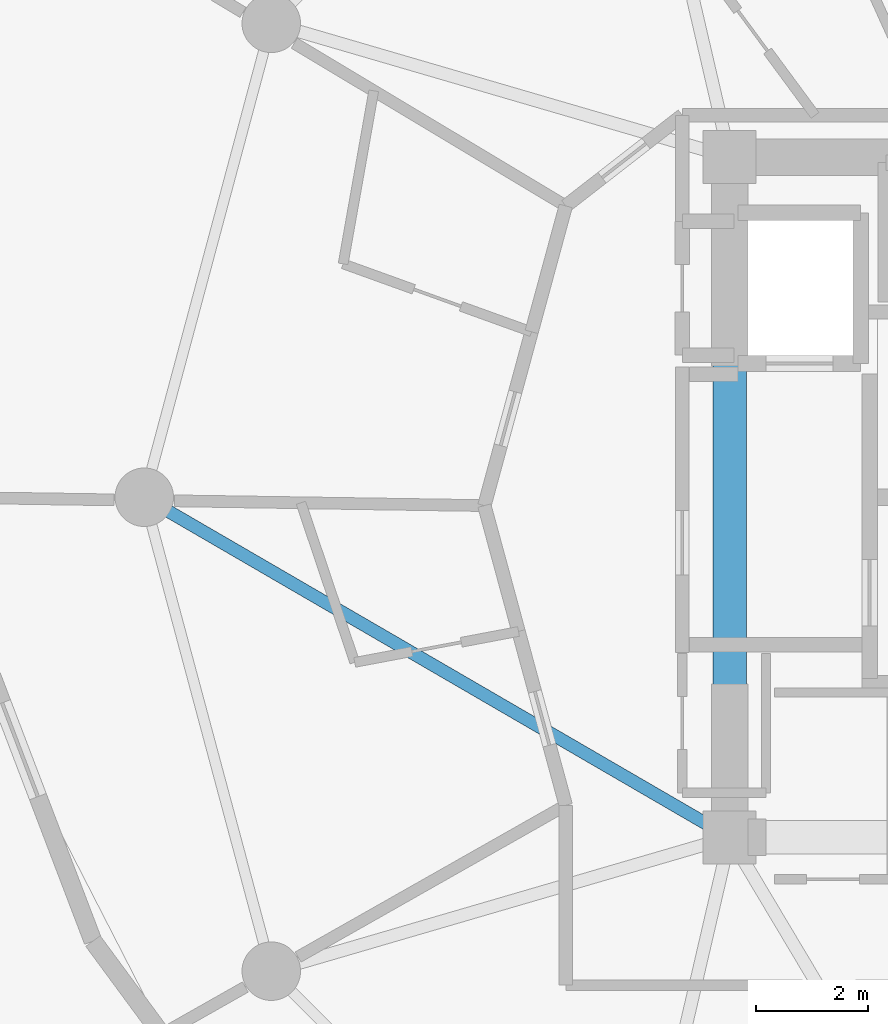
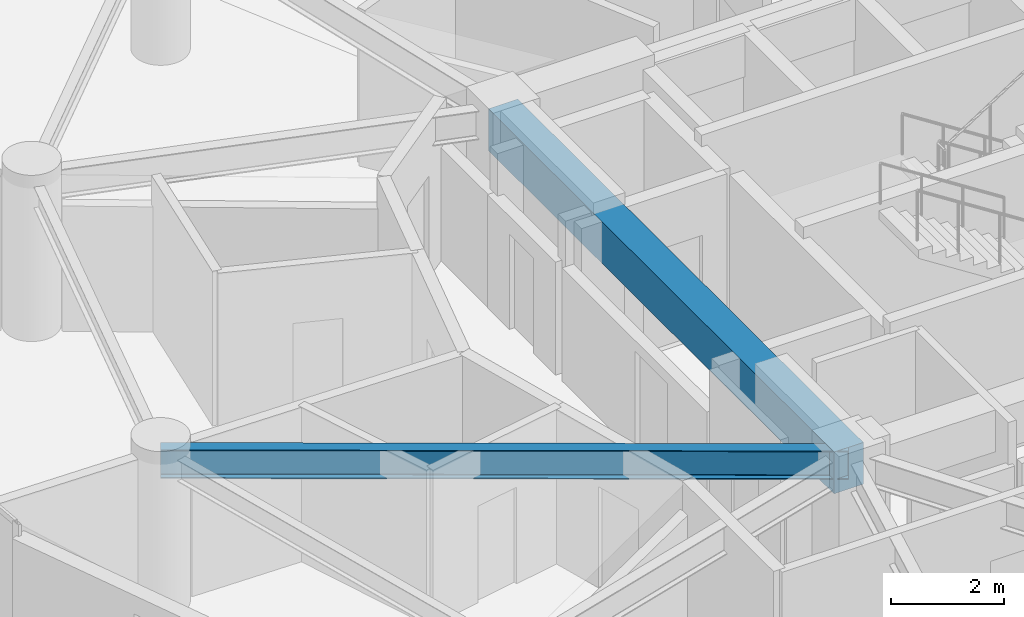
# One storey, part 6 of 22: 2 beams.
"""IFC4 building model written with IfcOpenShell, lengths in metres."""

import ifcopenshell
import ifcopenshell.guid

model = None  # the IFC model being written
_history = None  # IfcOwnerHistory: only IFC2X3 demands one
_inside = {}  # id of a spatial element -> (the spatial element, [elements in it])
_under = {}  # id of a project, library or spatial element -> (it, [spatial elements below it])
_declared = {}  # id of a project -> (the project, [libraries it declares])
_typed = {}  # id of a type object -> (the type object, [elements of that type])
_made_of = {}  # id of a material, layer set ... -> (it, [elements and type objects made of it])


def new_model(schema):
    """Start an empty IFC model of exactly this schema.

    Asked for "IFC4X3", IfcOpenShell would pick the latest addendum, in which some entities
    have other attributes; the version numbers below select the first issue.
    IFC2X3 requires an IfcOwnerHistory on every rooted entity: one is made here for all.
    """
    global model, _history
    if schema == "IFC4X3":
        model = ifcopenshell.file(schema_version=(4, 3, 0, 0))
    else:
        model = ifcopenshell.file(schema=schema)
    _inside.clear()
    _under.clear()
    _declared.clear()
    _typed.clear()
    _made_of.clear()
    _history = None
    if model.schema == "IFC2X3":
        org = make("IfcOrganization", Name="unknown")
        user = make(
            "IfcPersonAndOrganization",
            ThePerson=make("IfcPerson", FamilyName="unknown"),
            TheOrganization=org,
        )
        app = make(
            "IfcApplication",
            ApplicationDeveloper=org,
            Version="unknown",
            ApplicationFullName="unknown",
            ApplicationIdentifier="unknown",
        )
        _history = make(
            "IfcOwnerHistory",
            OwningUser=user,
            OwningApplication=app,
            ChangeAction="ADDED",
            CreationDate=0,
        )
    return model


def make(cls, **values):
    """One entity of the class cls with the attributes given. An attribute that is None is left unset."""
    return model.create_entity(
        cls, **{name: value for name, value in values.items() if value is not None}
    )


def rooted(cls, **values):
    """An entity with a GlobalId (a new one), such as an element, a storey or a relation."""
    return make(cls, GlobalId=ifcopenshell.guid.new(), OwnerHistory=_history, **values)


def si_unit(unit_type, name, prefix=None):
    """IfcSIUnit, for example si_unit("LENGTHUNIT", "METRE", prefix="MILLI")."""
    return make("IfcSIUnit", UnitType=unit_type, Prefix=prefix, Name=name)


def assignment(units):
    """IfcUnitAssignment: the units of a project."""
    return None if units is None else make("IfcUnitAssignment", Units=units)


def point(xyz):
    """IfcCartesianPoint."""
    return None if xyz is None else make("IfcCartesianPoint", Coordinates=xyz)


def direction(xyz):
    """IfcDirection."""
    return None if xyz is None else make("IfcDirection", DirectionRatios=xyz)


def frame(location, z_axis=None, x_axis=None):
    """IfcAxis2Placement3D, a coordinate frame: its origin and axes. An axis left out is left unset."""
    return make(
        "IfcAxis2Placement3D",
        Location=point(location),
        Axis=direction(z_axis),
        RefDirection=direction(x_axis),
    )


def frame_2d(location, x_axis=None):
    """IfcAxis2Placement2D, a coordinate frame in the plane: its origin and x axis."""
    return make(
        "IfcAxis2Placement2D", Location=point(location), RefDirection=direction(x_axis)
    )


def origin():
    """The frame at (0, 0, 0) with its axes left unset."""
    return frame((0.0, 0.0, 0.0))


def origin_2d():
    """The frame at (0, 0) in the plane with its x axis left unset."""
    return frame_2d((0.0, 0.0))


def place(relative_to, where):
    """IfcLocalPlacement: puts the frame where relative to a parent placement (None: the world)."""
    return make(
        "IfcLocalPlacement", PlacementRelTo=relative_to, RelativePlacement=where
    )


def context(
    kind, dimensions, precision=None, world=None, true_north=None, identifier=None
):
    """IfcGeometricRepresentationContext, for example the 3D "Model" context."""
    return make(
        "IfcGeometricRepresentationContext",
        ContextIdentifier=identifier,
        ContextType=kind,
        CoordinateSpaceDimension=dimensions,
        Precision=precision,
        WorldCoordinateSystem=world,
        TrueNorth=true_north,
    )


def subcontext(parent, identifier, kind, view, scale=None):
    """IfcGeometricRepresentationSubContext, for example "Body" below "Model"."""
    return make(
        "IfcGeometricRepresentationSubContext",
        ContextIdentifier=identifier,
        ContextType=kind,
        ParentContext=parent,
        TargetScale=scale,
        TargetView=view,
    )


def project(units=None, contexts=None):
    """IfcProject with its units and contexts."""
    return rooted(
        "IfcProject",
        Name="project",
        RepresentationContexts=contexts,
        UnitsInContext=assignment(units),
    )


def spatial(cls, under=None, at=None, **own):
    """A site, building, storey or space (cls), placed at a placement, below another one or the project."""
    s = rooted(cls, ObjectPlacement=at, **own)
    if under is not None:
        _under.setdefault(under.id(), (under, []))[1].append(s)
    return s


def profile(cls, at=None, kind="AREA", **sizes):
    """A parametric profile (cls). Its sizes go by their IFC names, for example OverallWidth=200.0."""
    return make(cls, ProfileType=kind, Position=at, **sizes)


def rectangle(**sizes):
    """IfcRectangleProfileDef."""
    return profile("IfcRectangleProfileDef", **sizes)


def i_section(**sizes):
    """IfcIShapeProfileDef."""
    return profile("IfcIShapeProfileDef", **sizes)


def extrude(swept, where, along, depth):
    """IfcExtrudedAreaSolid: the profile swept, set in the frame where, extruded along a direction by depth."""
    return make(
        "IfcExtrudedAreaSolid",
        SweptArea=swept,
        Position=where,
        ExtrudedDirection=direction(along),
        Depth=depth,
    )


def shape(context_of_items, identifier, shape_type, items):
    """IfcShapeRepresentation: the items that make up one representation, for example the "Body"."""
    return make(
        "IfcShapeRepresentation",
        ContextOfItems=context_of_items,
        RepresentationIdentifier=identifier,
        RepresentationType=shape_type,
        Items=items,
    )


def material(Name=None, Category=None):
    """IfcMaterial."""
    return make("IfcMaterial", Name=Name, Category=Category)


def material_profile(
    of_material, cross_section, Name=None, Category=None, Priority=None
):
    """IfcMaterialProfile: a cross section and its material."""
    return make(
        "IfcMaterialProfile",
        Name=Name,
        Material=of_material,
        Profile=cross_section,
        Priority=Priority,
        Category=Category,
    )


def profile_set(profiles, Name=None, composite=None):
    """IfcMaterialProfileSet."""
    return make(
        "IfcMaterialProfileSet",
        Name=Name,
        MaterialProfiles=profiles,
        CompositeProfile=composite,
    )


def made_of(thing, what):
    """Note that an element or type object is made of a material, layer set ...; save() writes the relation."""
    if what is not None:
        _made_of.setdefault(what.id(), (what, []))[1].append(thing)
    return thing


def type_object(cls, material=None, **own):
    """A type object (cls), such as IfcWallType, which elements share."""
    return made_of(rooted(cls, **own), material)


def element(
    cls,
    number,
    at=None,
    inside=None,
    cuts=None,
    type_object=None,
    material=None,
    context=None,
    identifier="Body",
    shape_type=None,
    held_by="IfcProductDefinitionShape",
    body=None,
    shapes=None,
    **own,
):
    """One element of the class cls, such as IfcWall. Its Tag is "e" and its number.

    at: its placement. inside: the storey or other place that contains it. cuts: it is an
    opening in that element (IfcRelVoidsElement). A single representation is given by context,
    identifier, shape_type and body (its items); several are given by shapes. held_by: the class
    of the entity that holds the representations. save() writes the other relations.
    """
    e = rooted(cls, Tag="e%d" % number, ObjectPlacement=at, **own)
    if body is not None:
        shapes = [shape(context, identifier, shape_type, body)]
    if shapes is not None:
        e.Representation = make(held_by, Representations=shapes)
    if inside is not None:
        _inside.setdefault(inside.id(), (inside, []))[1].append(e)
    if cuts is not None:
        rooted(
            "IfcRelVoidsElement", RelatingBuildingElement=cuts, RelatedOpeningElement=e
        )
    if type_object is not None:
        _typed.setdefault(type_object.id(), (type_object, []))[1].append(e)
    return made_of(e, material)


def aggregate(whole, parts):
    """IfcRelAggregates: a whole, such as a stair, and the parts it consists of."""
    return rooted("IfcRelAggregates", RelatingObject=whole, RelatedObjects=parts)


def save(model, path):
    """Write the relations noted so far, then the file.

    IfcRelAggregates (storeys below a building ...), IfcRelContainedInSpatialStructure (elements
    in a storey), IfcRelDefinesByType, IfcRelAssociatesMaterial and IfcRelDeclares: one each for
    every whole, place, type object, material and project.
    """
    for whole, parts in _under.values():
        aggregate(whole, parts)
    for where, things in _inside.values():
        rooted(
            "IfcRelContainedInSpatialStructure",
            RelatedElements=things,
            RelatingStructure=where,
        )
    for kind, things in _typed.values():
        rooted("IfcRelDefinesByType", RelatedObjects=things, RelatingType=kind)
    for what, things in _made_of.values():
        rooted("IfcRelAssociatesMaterial", RelatedObjects=things, RelatingMaterial=what)
    for by, libraries in _declared.values():
        rooted("IfcRelDeclares", RelatingContext=by, RelatedDefinitions=libraries)
    model.write(path)


model = new_model("IFC4")

# Units and contexts
model_context = context("Model", 3, precision=1e-05, world=origin(), true_north=direction((0.0, 1.0)))
body_context = subcontext(model_context, "Body", "Model", "MODEL_VIEW")
ifc_project = project(units=[si_unit("LENGTHUNIT", "METRE"), si_unit("AREAUNIT", "SQUARE_METRE"), si_unit("VOLUMEUNIT", "CUBIC_METRE"), si_unit("PLANEANGLEUNIT", "RADIAN"), si_unit("MASSUNIT", "GRAM", prefix="KILO")], contexts=[model_context])

# Site, building, storey
site_placement = place(None, origin())
site = spatial("IfcSite", under=ifc_project, at=site_placement, CompositionType="ELEMENT")
building_placement = place(site_placement, origin())
building = spatial("IfcBuilding", under=site, at=building_placement, Name="Solvirekh Grand Hotel", CompositionType="ELEMENT")
storey_placement = place(building_placement, frame((0.0, 0.0, 149.39990234375)))
storey = spatial("IfcBuildingStorey", under=building, at=storey_placement, Name="L38", CompositionType="ELEMENT", Elevation=149.39990234375)

# Beams
ifc_material_1 = material(Name="Concrete C50/60", Category="concrete")
ifc_material_profile_1 = material_profile(ifc_material_1, rectangle(XDim=0.60009765625, YDim=0.89990234375, at=origin_2d()), Name="RC BEAM 600X900")
ifc_profile_set_1 = profile_set([ifc_material_profile_1], Name="Concrete C50/60")
beam_type_1 = type_object("IfcBeamType", Name="Beam_Core_RC900", PredefinedType="BEAM", material=ifc_profile_set_1)
beam_1_placement = place(storey_placement, frame((-6.5, 6.10009765625, 2.900146484375), z_axis=(0.0, -1.0, 0.0), x_axis=(1.0, 0.0, 0.0)))
element("IfcBeam", 1, at=beam_1_placement, inside=storey, type_object=beam_type_1, Name="L38 core coupling ring beam 4", PredefinedType="BEAM", context=body_context, shape_type="SweptSolid", body=[
    extrude(rectangle(XDim=0.60009765625, YDim=0.89990234375, at=origin_2d()), origin(), (0.0, 0.0, 1.0), 12.2001953125),
])
ifc_material_2 = material(Name="Steel S355", Category="steel")
ifc_material_profile_2 = material_profile(ifc_material_2, i_section(OverallWidth=0.22802734375, OverallDepth=0.616943359375, WebThickness=0.012939453125, FlangeThickness=0.02001953125, FilletRadius=0.014892578125, at=origin_2d()), Name="W610X140")
ifc_profile_set_2 = profile_set([ifc_material_profile_2], Name="Steel S355")
beam_type_2 = type_object("IfcBeamType", Name="Beam_Radial_W610", PredefinedType="BEAM", material=ifc_profile_set_2)
beam_2_placement = place(storey_placement, frame((-6.5, -6.10009765625, 3.041015625), z_axis=(-0.864670076815, 0.50234018181, 0.0), x_axis=(-0.50234018181, -0.864670076815, 0.0)))
element("IfcBeam", 2, at=beam_2_placement, inside=storey, type_object=beam_type_2, Name="L38 radial floor beam R07", PredefinedType="BEAM", context=body_context, shape_type="SweptSolid", body=[
    extrude(i_section(OverallWidth=0.22802734375, OverallDepth=0.616943359375, WebThickness=0.012939453125, FlangeThickness=0.02001953125, FilletRadius=0.014892578125, at=origin_2d()), origin(), (0.0, 0.0, 1.0), 12.143310546875),
])

save(model, "model.ifc")
